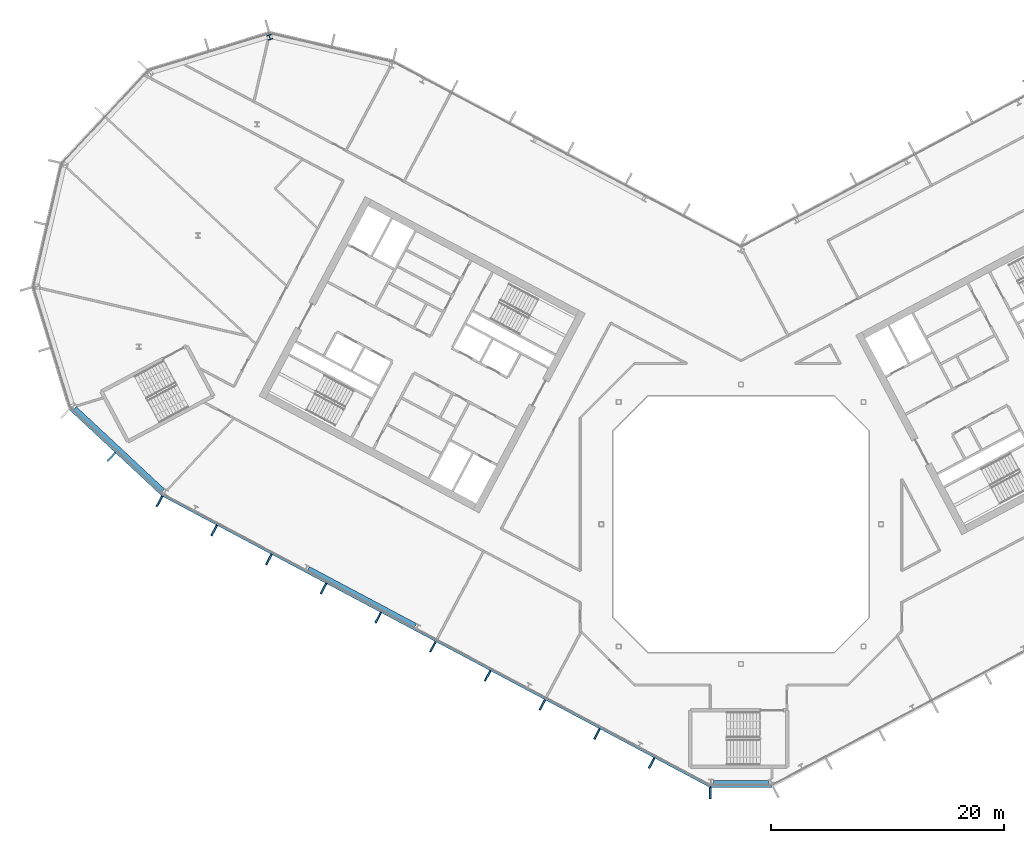
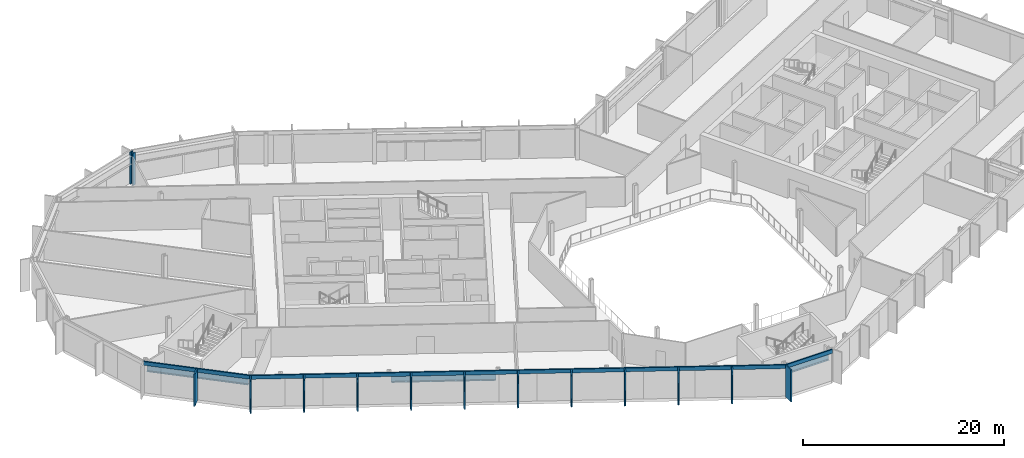
# One storey, part 8 of 26: 15 members, 3 beams, 1 column, 3 elements without a shape of their own.
"""IFC4 building model written with IfcOpenShell, lengths in metres."""

from ifc_helpers import new_model, si_unit, direction, frame, origin, origin_2d, place, context, subcontext, project, spatial, rectangle, i_section, extrude, material, layer, layer_set, material_profile, profile_set, type_object, element, aggregate, save


model = new_model("IFC4")

# Units and contexts
model_context = context("Model", 3, precision=1e-05, world=origin(), true_north=direction((0.0, 1.0)))
body_context = subcontext(model_context, "Body", "Model", "MODEL_VIEW")
ifc_project = project(units=[si_unit("LENGTHUNIT", "METRE"), si_unit("AREAUNIT", "SQUARE_METRE"), si_unit("VOLUMEUNIT", "CUBIC_METRE"), si_unit("PLANEANGLEUNIT", "RADIAN"), si_unit("MASSUNIT", "GRAM", prefix="KILO")], contexts=[model_context])

# Site, building, storey
site_placement = place(None, origin())
site = spatial("IfcSite", under=ifc_project, at=site_placement, CompositionType="ELEMENT")
building_placement = place(site_placement, origin())
building = spatial("IfcBuilding", under=site, at=building_placement, Name="Cormorant Relay Tower", CompositionType="ELEMENT")
storey_placement = place(building_placement, frame((0.0, 0.0, 193.5)))
storey = spatial("IfcBuildingStorey", under=building, at=storey_placement, Name="L41", CompositionType="ELEMENT", Elevation=193.5)

# Column
ifc_material_1 = material(Name="Steel ASTM A992 (Fy 345 MPa)", Category="steel")
ifc_material_profile_1 = material_profile(ifc_material_1, i_section(OverallWidth=0.41162109375, OverallDepth=0.434326171875, WebThickness=0.035888671875, FlangeThickness=0.057373046875, FilletRadius=0.01513671875, at=origin_2d()), Name="W360x463")
ifc_profile_set_1 = profile_set([ifc_material_profile_1], Name="Steel ASTM A992 (Fy 345 MPa)")
column_type = type_object("IfcColumnType", Name="Column W360x463", PredefinedType="COLUMN", material=ifc_profile_set_1)
column_placement = place(storey_placement, frame((-40.455078125, 41.803955078125, 0.0), z_axis=(0.0, 0.0, 1.0), x_axis=(-0.956304755963, -0.292371704723, 0.0)))
element("IfcColumn", 1, at=column_placement, inside=storey, type_object=column_type, Name="Column L41-045", PredefinedType="COLUMN", context=body_context, shape_type="SweptSolid", body=[
    extrude(i_section(OverallWidth=0.41162109375, OverallDepth=0.434326171875, WebThickness=0.035888671875, FlangeThickness=0.057373046875, FilletRadius=0.01513671875, at=origin_2d()), origin(), (0.0, 0.0, 1.0), 3.89990234375),
])

# Curtain wall, member
ifc_material_2 = material(Name="Aluminium 6063-T6 anodised bronze", Category="aluminium")
ifc_layer = layer(ifc_material_2, 0.199951171875)
ifc_layer_set = layer_set([ifc_layer], Name="CW1 unitised bronze curtain wall with vertical fins")
curtain_wall_type = type_object("IfcCurtainWallType", Name="CW1 unitised bronze curtain wall with vertical fins", PredefinedType="NOTDEFINED", material=ifc_layer_set)
curtain_wall_1_placement = place(storey_placement, origin())
curtain_wall_1 = element("IfcCurtainWall", 2, at=curtain_wall_1_placement, inside=storey, type_object=curtain_wall_type, Name="CW1 curtain wall 1", PredefinedType="NOTDEFINED")
ifc_material_3 = material(Name="Aluminium 6063-T6 anodised bronze", Category="aluminium")
ifc_material_profile_2 = material_profile(ifc_material_3, rectangle(XDim=0.14990234375, YDim=1.0, at=origin_2d()), Name="AL 150x1000")
ifc_profile_set_2 = profile_set([ifc_material_profile_2], Name="Aluminium 6063-T6 anodised bronze")
member_type_1 = type_object("IfcMemberType", Name="CW1 bronze fin mullion 150 x 1000", PredefinedType="MULLION", material=ifc_profile_set_2)
member_1_placement = place(storey_placement, frame((-2.648681640625, -23.07568359375, 0.0), z_axis=(0.0, 0.0, 1.0), x_axis=(1.0, 0.0, 0.0)))
member_1 = element("IfcMember", 3, at=member_1_placement, type_object=member_type_1, Name="CW1 fin 1.1", PredefinedType="MULLION", context=body_context, shape_type="SweptSolid", body=[
    extrude(rectangle(XDim=0.14990234375, YDim=1.0, at=origin_2d()), origin(), (0.0, 0.0, 1.0), 3.89990234375),
])

curtain_wall_2_placement = place(storey_placement, origin())
curtain_wall_2 = element("IfcCurtainWall", 4, at=curtain_wall_2_placement, inside=storey, type_object=curtain_wall_type, Name="CW1 curtain wall 15", PredefinedType="NOTDEFINED")
member_2_placement = place(storey_placement, frame((-54.0439453125, 5.779296875, 0.0), z_axis=(0.0, 0.0, 1.0), x_axis=(0.731353701619, -0.681998360062, 0.0)))
member_2 = element("IfcMember", 5, at=member_2_placement, type_object=member_type_1, Name="CW1 fin 15.2", PredefinedType="MULLION", context=body_context, shape_type="SweptSolid", body=[
    extrude(rectangle(XDim=0.14990234375, YDim=1.0, at=origin_2d()), origin(), (0.0, 0.0, 1.0), 3.89990234375),
])

# Curtain wall, members
curtain_wall_3_placement = place(storey_placement, origin())
curtain_wall_3 = element("IfcCurtainWall", 6, at=curtain_wall_3_placement, inside=storey, type_object=curtain_wall_type, Name="CW1 curtain wall 16", PredefinedType="NOTDEFINED")
member_3_placement = place(storey_placement, frame((-49.920166015625, 1.96630859375, 0.0), z_axis=(0.0, 0.0, 1.0), x_axis=(0.882947592859, -0.469471562786, 0.0)))
member_3 = element("IfcMember", 7, at=member_3_placement, type_object=member_type_1, Name="CW1 fin 16.1", PredefinedType="MULLION", context=body_context, shape_type="SweptSolid", body=[
    extrude(rectangle(XDim=0.14990234375, YDim=1.0, at=origin_2d()), origin(), (0.0, 0.0, 1.0), 3.89990234375),
])
member_4_placement = place(storey_placement, frame((-45.225830078125, -0.52978515625, 0.0), z_axis=(0.0, 0.0, 1.0), x_axis=(0.882947592859, -0.469471562786, 0.0)))
member_4 = element("IfcMember", 8, at=member_4_placement, type_object=member_type_1, Name="CW1 fin 16.2", PredefinedType="MULLION", context=body_context, shape_type="SweptSolid", body=[
    extrude(rectangle(XDim=0.14990234375, YDim=1.0, at=origin_2d()), origin(), (0.0, 0.0, 1.0), 3.89990234375),
])
member_5_placement = place(storey_placement, frame((-40.531494140625, -3.025634765625, 0.0), z_axis=(0.0, 0.0, 1.0), x_axis=(0.882947592859, -0.469471562786, 0.0)))
member_5 = element("IfcMember", 9, at=member_5_placement, type_object=member_type_1, Name="CW1 fin 16.3", PredefinedType="MULLION", context=body_context, shape_type="SweptSolid", body=[
    extrude(rectangle(XDim=0.14990234375, YDim=1.0, at=origin_2d()), origin(), (0.0, 0.0, 1.0), 3.89990234375),
])
member_6_placement = place(storey_placement, frame((-35.83740234375, -5.521728515625, 0.0), z_axis=(0.0, 0.0, 1.0), x_axis=(0.882947592859, -0.469471562786, 0.0)))
member_6 = element("IfcMember", 10, at=member_6_placement, type_object=member_type_1, Name="CW1 fin 16.4", PredefinedType="MULLION", context=body_context, shape_type="SweptSolid", body=[
    extrude(rectangle(XDim=0.14990234375, YDim=1.0, at=origin_2d()), origin(), (0.0, 0.0, 1.0), 3.89990234375),
])
member_7_placement = place(storey_placement, frame((-31.14306640625, -8.017578125, 0.0), z_axis=(0.0, 0.0, 1.0), x_axis=(0.882947592859, -0.469471562786, 0.0)))
member_7 = element("IfcMember", 11, at=member_7_placement, type_object=member_type_1, Name="CW1 fin 16.5", PredefinedType="MULLION", context=body_context, shape_type="SweptSolid", body=[
    extrude(rectangle(XDim=0.14990234375, YDim=1.0, at=origin_2d()), origin(), (0.0, 0.0, 1.0), 3.89990234375),
])
member_8_placement = place(storey_placement, frame((-26.44873046875, -10.513671875, 0.0), z_axis=(0.0, 0.0, 1.0), x_axis=(0.882947592859, -0.469471562786, 0.0)))
member_8 = element("IfcMember", 12, at=member_8_placement, type_object=member_type_1, Name="CW1 fin 16.6", PredefinedType="MULLION", context=body_context, shape_type="SweptSolid", body=[
    extrude(rectangle(XDim=0.14990234375, YDim=1.0, at=origin_2d()), origin(), (0.0, 0.0, 1.0), 3.89990234375),
])
member_9_placement = place(storey_placement, frame((-21.754638671875, -13.009765625, 0.0), z_axis=(0.0, 0.0, 1.0), x_axis=(0.882947592859, -0.469471562786, 0.0)))
member_9 = element("IfcMember", 13, at=member_9_placement, type_object=member_type_1, Name="CW1 fin 16.7", PredefinedType="MULLION", context=body_context, shape_type="SweptSolid", body=[
    extrude(rectangle(XDim=0.14990234375, YDim=1.0, at=origin_2d()), origin(), (0.0, 0.0, 1.0), 3.89990234375),
])
member_10_placement = place(storey_placement, frame((-17.060302734375, -15.505615234375, 0.0), z_axis=(0.0, 0.0, 1.0), x_axis=(0.882947592859, -0.469471562786, 0.0)))
member_10 = element("IfcMember", 14, at=member_10_placement, type_object=member_type_1, Name="CW1 fin 16.8", PredefinedType="MULLION", context=body_context, shape_type="SweptSolid", body=[
    extrude(rectangle(XDim=0.14990234375, YDim=1.0, at=origin_2d()), origin(), (0.0, 0.0, 1.0), 3.89990234375),
])
member_11_placement = place(storey_placement, frame((-12.365966796875, -18.001708984375, 0.0), z_axis=(0.0, 0.0, 1.0), x_axis=(0.882947592859, -0.469471562786, 0.0)))
member_11 = element("IfcMember", 15, at=member_11_placement, type_object=member_type_1, Name="CW1 fin 16.9", PredefinedType="MULLION", context=body_context, shape_type="SweptSolid", body=[
    extrude(rectangle(XDim=0.14990234375, YDim=1.0, at=origin_2d()), origin(), (0.0, 0.0, 1.0), 3.89990234375),
])
member_12_placement = place(storey_placement, frame((-7.671630859375, -20.49755859375, 0.0), z_axis=(0.0, 0.0, 1.0), x_axis=(0.882947592859, -0.469471562786, 0.0)))
member_12 = element("IfcMember", 16, at=member_12_placement, type_object=member_type_1, Name="CW1 fin 16.10", PredefinedType="MULLION", context=body_context, shape_type="SweptSolid", body=[
    extrude(rectangle(XDim=0.14990234375, YDim=1.0, at=origin_2d()), origin(), (0.0, 0.0, 1.0), 3.89990234375),
])

# Member
ifc_material_4 = material(Name="Aluminium 6063-T6 anodised bronze", Category="aluminium")
ifc_material_profile_3 = material_profile(ifc_material_4, rectangle(XDim=0.159912109375, YDim=0.449951171875, at=origin_2d()), Name="AL 160x450")
ifc_profile_set_3 = profile_set([ifc_material_profile_3], Name="Aluminium 6063-T6 anodised bronze")
member_type_2 = type_object("IfcMemberType", Name="CW1 bronze transom 160 x 450", PredefinedType="USERDEFINED", material=ifc_profile_set_3)
member_13_placement = place(storey_placement, frame((-2.648681640625, -22.49560546875, 3.675048828125), z_axis=(1.0, 0.0, 0.0), x_axis=(0.0, 1.0, 0.0)))
member_13 = element("IfcMember", 17, at=member_13_placement, type_object=member_type_2, Name="CW1 transom 1", ObjectType="TRANSOM", PredefinedType="USERDEFINED", context=body_context, shape_type="SweptSolid", body=[
    extrude(rectangle(XDim=0.159912109375, YDim=0.449951171875, at=origin_2d()), origin(), (0.0, 0.0, 1.0), 5.29736328125),
])

aggregate(curtain_wall_1, [member_1, member_13])

member_14_placement = place(storey_placement, frame((-57.62353515625, 9.91015625, 3.675048828125), z_axis=(0.731358420696, -0.681993299437, 0.0), x_axis=(0.681993299437, 0.731358420696, 0.0)))
member_14 = element("IfcMember", 18, at=member_14_placement, type_object=member_type_2, Name="CW1 transom 15", ObjectType="TRANSOM", PredefinedType="USERDEFINED", context=body_context, shape_type="SweptSolid", body=[
    extrude(rectangle(XDim=0.159912109375, YDim=0.449951171875, at=origin_2d()), origin(), (0.0, 0.0, 1.0), 10.870361328125),
])

aggregate(curtain_wall_2, [member_2, member_14])

member_15_placement = place(storey_placement, frame((-49.64794921875, 2.478515625, 3.675048828125), z_axis=(0.882947642542, -0.469471469346, 0.0), x_axis=(0.469471469346, 0.882947642542, 0.0)))
member_15 = element("IfcMember", 19, at=member_15_placement, type_object=member_type_2, Name="CW1 transom 16", ObjectType="TRANSOM", PredefinedType="USERDEFINED", context=body_context, shape_type="SweptSolid", body=[
    extrude(rectangle(XDim=0.159912109375, YDim=0.449951171875, at=origin_2d()), origin(), (0.0, 0.0, 1.0), 53.166015625),
])

aggregate(curtain_wall_3, [member_3, member_4, member_5, member_6, member_7, member_8, member_9, member_10, member_11, member_12, member_15])

# Beams
ifc_material_5 = material(Name="Steel ASTM A992 (Fy 345 MPa)", Category="steel")
ifc_material_profile_4 = material_profile(ifc_material_5, i_section(OverallWidth=0.4013671875, OverallDepth=0.990478515625, WebThickness=0.0166015625, FlangeThickness=0.031005859375, FilletRadius=0.030029296875, at=origin_2d()), Name="W1000x320")
ifc_profile_set_4 = profile_set([ifc_material_profile_4], Name="Steel ASTM A992 (Fy 345 MPa)")
beam_type = type_object("IfcBeamType", Name="Spandrel W1000x320", PredefinedType="SPANDREL", material=ifc_profile_set_4)
beam_1_placement = place(storey_placement, frame((-2.3701171875, -22.1748046875, 3.044677734375), z_axis=(1.0, 0.0, 0.0), x_axis=(0.0, 1.0, 0.0)))
element("IfcBeam", 20, at=beam_1_placement, inside=storey, type_object=beam_type, Name="Spandrel beam L41-001", PredefinedType="SPANDREL", context=body_context, shape_type="SweptSolid", body=[
    extrude(i_section(OverallWidth=0.4013671875, OverallDepth=0.990478515625, WebThickness=0.0166015625, FlangeThickness=0.031005859375, FilletRadius=0.030029296875, at=origin_2d()), origin(), (0.0, 0.0, 1.0), 4.761474609375),
])
beam_2_placement = place(storey_placement, frame((-57.19580078125, 9.94970703125, 3.044677734375), z_axis=(0.731351589689, -0.682000624824, 0.0), x_axis=(0.682000624824, 0.731351589689, 0.0)))
element("IfcBeam", 21, at=beam_2_placement, inside=storey, type_object=beam_type, Name="Spandrel beam L41-015", PredefinedType="SPANDREL", context=body_context, shape_type="SweptSolid", body=[
    extrude(i_section(OverallWidth=0.4013671875, OverallDepth=0.990478515625, WebThickness=0.0166015625, FlangeThickness=0.031005859375, FilletRadius=0.030029296875, at=origin_2d()), origin(), (0.0, 0.0, 1.0), 10.354248046875),
])
beam_3_placement = place(storey_placement, frame((-37.134033203125, -3.812255859375, 3.044677734375), z_axis=(0.882949648898, -0.469467695918, 0.0), x_axis=(0.469467695918, 0.882949648898, 0.0)))
element("IfcBeam", 22, at=beam_3_placement, inside=storey, type_object=beam_type, Name="Spandrel beam L41-016", PredefinedType="SPANDREL", context=body_context, shape_type="SweptSolid", body=[
    extrude(i_section(OverallWidth=0.4013671875, OverallDepth=0.990478515625, WebThickness=0.0166015625, FlangeThickness=0.031005859375, FilletRadius=0.030029296875, at=origin_2d()), origin(), (0.0, 0.0, 1.0), 10.39599609375),
])

save(model, "model.ifc")
